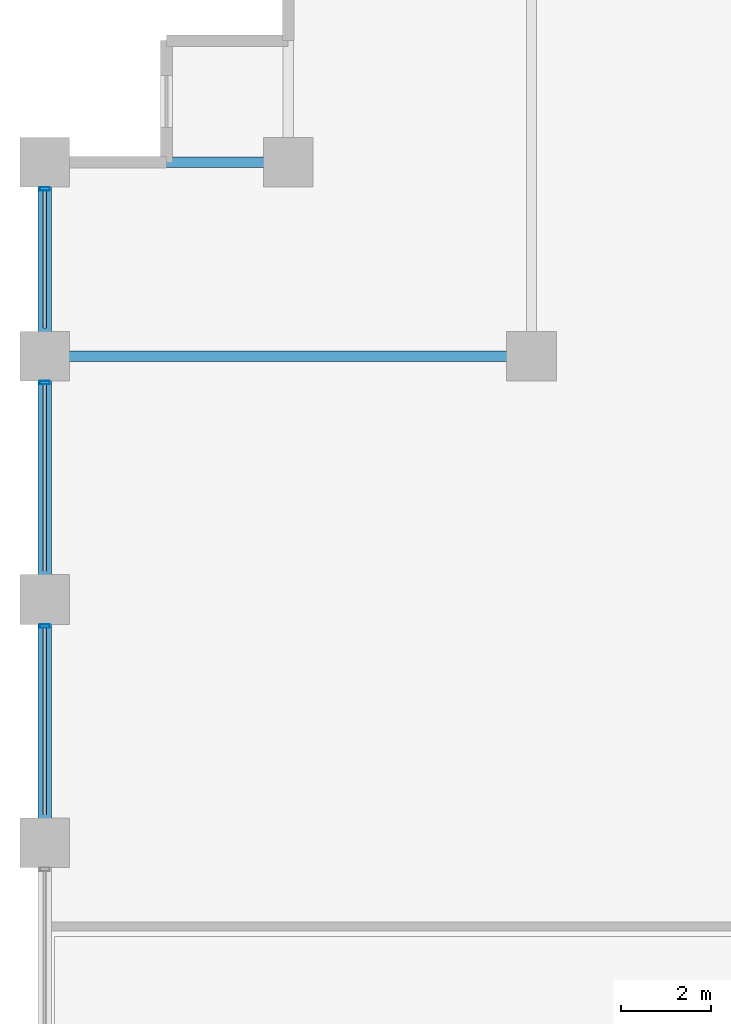
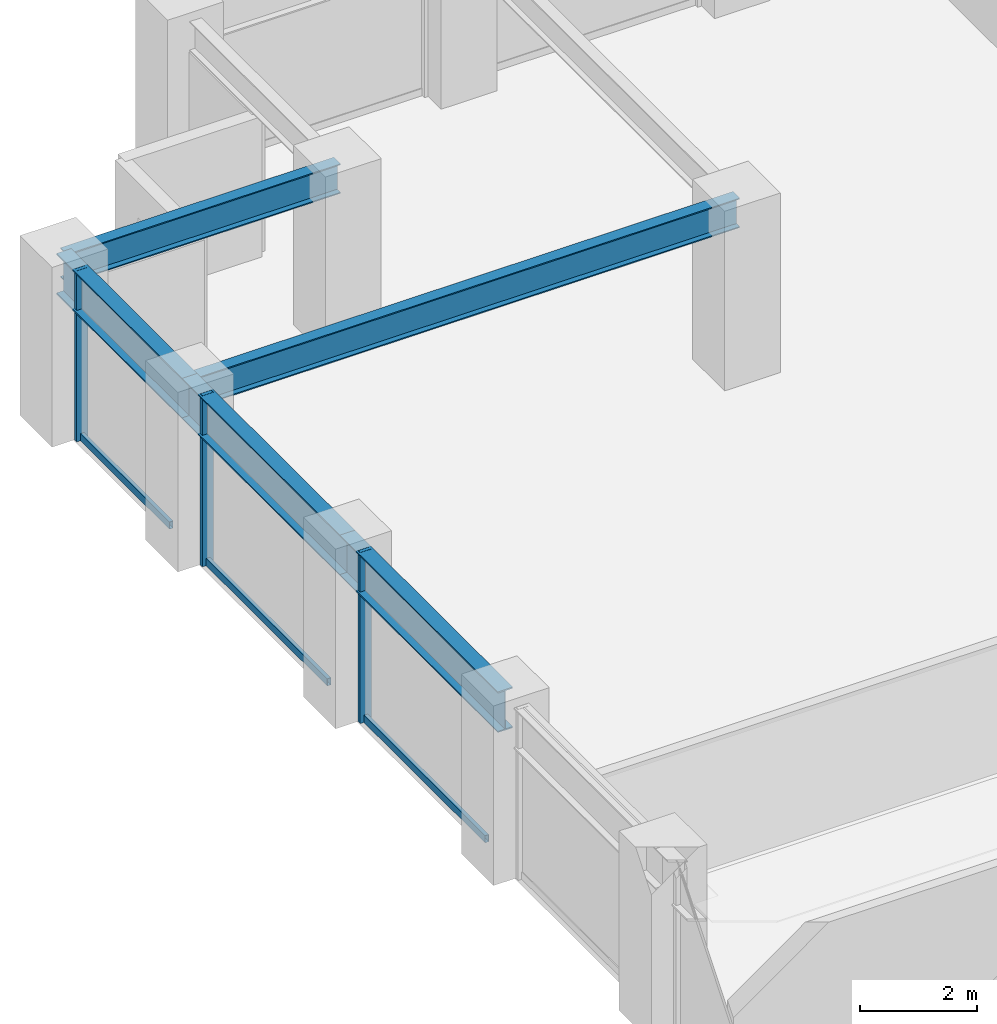
# One storey, part 10 of 25: 6 members, 5 beams, 1 element without a shape of its own.
"""IFC4 building model written with IfcOpenShell, lengths in metres."""

from ifc_helpers import new_model, si_unit, direction, frame, origin, origin_2d, place, context, subcontext, project, spatial, hollow_rectangle, i_section, extrude, material, layer, layer_set, material_profile, profile_set, type_object, element, aggregate, save


model = new_model("IFC4")

# Units and contexts
model_context = context("Model", 3, precision=1e-05, world=origin(), true_north=direction((0.0, 1.0)))
body_context = subcontext(model_context, "Body", "Model", "MODEL_VIEW")
ifc_project = project(units=[si_unit("LENGTHUNIT", "METRE"), si_unit("AREAUNIT", "SQUARE_METRE"), si_unit("VOLUMEUNIT", "CUBIC_METRE"), si_unit("PLANEANGLEUNIT", "RADIAN"), si_unit("MASSUNIT", "GRAM", prefix="KILO")], contexts=[model_context])

# Site, building, storey
site_placement = place(None, origin())
site = spatial("IfcSite", under=ifc_project, at=site_placement, CompositionType="ELEMENT")
building_placement = place(site_placement, origin())
building = spatial("IfcBuilding", under=site, at=building_placement, Name="Surkhivell Harbour Commons", CompositionType="ELEMENT")
storey_placement = place(building_placement, frame((0.0, 0.0, 124.5)))
storey = spatial("IfcBuildingStorey", under=building, at=storey_placement, Name="L32", CompositionType="ELEMENT", Elevation=124.5)

# Beams
ifc_material_1 = material(Name="Steel S355", Category="steel")
ifc_material_profile_1 = material_profile(ifc_material_1, i_section(OverallWidth=0.22998046875, OverallDepth=0.616943359375, WebThickness=0.01318359375, FlangeThickness=0.022216796875, at=origin_2d()), Name="UB610x229x140")
ifc_profile_set_1 = profile_set([ifc_material_profile_1], Name="Steel S355")
beam_type_1 = type_object("IfcBeamType", Name="BM-GRD-610B", PredefinedType="BEAM", material=ifc_profile_set_1)
beam_1_placement = place(storey_placement, frame((-32.39990234375, 16.199951171875, 3.261474609375), z_axis=(1.0, 0.0, 0.0), x_axis=(0.0, 1.0, 0.0)))
element("IfcBeam", 1, at=beam_1_placement, inside=storey, type_object=beam_type_1, Name="L32 Floor Girder (-32.4,16.2)", PredefinedType="BEAM", context=body_context, shape_type="SweptSolid", body=[
    extrude(i_section(OverallWidth=0.22998046875, OverallDepth=0.616943359375, WebThickness=0.01318359375, FlangeThickness=0.022216796875, at=origin_2d()), origin(), (0.0, 0.0, 1.0), 10.7998046875),
])
beam_2_placement = place(storey_placement, frame((-32.39990234375, 20.5, 3.261474609375), z_axis=(1.0, 0.0, 0.0), x_axis=(0.0, 1.0, 0.0)))
element("IfcBeam", 2, at=beam_2_placement, inside=storey, type_object=beam_type_1, Name="L32 Floor Girder (-32.4,20.5)", PredefinedType="BEAM", context=body_context, shape_type="SweptSolid", body=[
    extrude(i_section(OverallWidth=0.22998046875, OverallDepth=0.616943359375, WebThickness=0.01318359375, FlangeThickness=0.022216796875, at=origin_2d()), origin(), (0.0, 0.0, 1.0), 5.39990234375),
])
ifc_material_2 = material(Name="Steel S460", Category="steel")
ifc_material_profile_2 = material_profile(ifc_material_2, i_section(OverallWidth=0.2939453125, OverallDepth=0.85107421875, WebThickness=0.01611328125, FlangeThickness=0.02685546875, at=origin_2d()), Name="UB838x292x226")
ifc_profile_set_2 = profile_set([ifc_material_profile_2], Name="Steel S460")
beam_type_2 = type_object("IfcBeamType", Name="BM-SPN-838", PredefinedType="SPANDREL", material=ifc_profile_set_2)
beam_3_placement = place(storey_placement, frame((-32.39990234375, 5.39990234375, 3.14453125), z_axis=(0.0, 1.0, 0.0), x_axis=(-1.0, 0.0, 0.0)))
element("IfcBeam", 3, at=beam_3_placement, inside=storey, type_object=beam_type_2, Name="L32 Tube Spandrel (-32.4,5.4)", PredefinedType="SPANDREL", context=body_context, shape_type="SweptSolid", body=[
    extrude(i_section(OverallWidth=0.2939453125, OverallDepth=0.85107421875, WebThickness=0.01611328125, FlangeThickness=0.02685546875, at=origin_2d()), origin(), (0.0, 0.0, 1.0), 5.400146484375),
])
beam_4_placement = place(storey_placement, frame((-32.39990234375, 10.800048828125, 3.14453125), z_axis=(0.0, 1.0, 0.0), x_axis=(-1.0, 0.0, 0.0)))
element("IfcBeam", 4, at=beam_4_placement, inside=storey, type_object=beam_type_2, Name="L32 Tube Spandrel (-32.4,10.8)", PredefinedType="SPANDREL", context=body_context, shape_type="SweptSolid", body=[
    extrude(i_section(OverallWidth=0.2939453125, OverallDepth=0.85107421875, WebThickness=0.01611328125, FlangeThickness=0.02685546875, at=origin_2d()), origin(), (0.0, 0.0, 1.0), 5.39990234375),
])
beam_5_placement = place(storey_placement, frame((-32.39990234375, 16.199951171875, 3.14453125), z_axis=(0.0, 1.0, 0.0), x_axis=(-1.0, 0.0, 0.0)))
element("IfcBeam", 5, at=beam_5_placement, inside=storey, type_object=beam_type_2, Name="L32 Tube Spandrel (-32.4,16.2)", PredefinedType="SPANDREL", context=body_context, shape_type="SweptSolid", body=[
    extrude(i_section(OverallWidth=0.2939453125, OverallDepth=0.85107421875, WebThickness=0.01611328125, FlangeThickness=0.02685546875, at=origin_2d()), origin(), (0.0, 0.0, 1.0), 4.300048828125),
])

# Curtain wall, members
ifc_material_3 = material(Name="Anodised pale-metal aluminium and insulated glazing", Category="aluminium")
ifc_layer = layer(ifc_material_3, 0.205078125)
ifc_layer_set = layer_set([ifc_layer], Name="Anodised pale-metal aluminium and insulated glazing")
curtain_wall_type = type_object("IfcCurtainWallType", Name="CW-SYS-Z2", PredefinedType="NOTDEFINED", material=ifc_layer_set)
curtain_wall_placement = place(storey_placement, origin())
curtain_wall = element("IfcCurtainWall", 6, at=curtain_wall_placement, inside=storey, type_object=curtain_wall_type, Name="L32 Curtain Wall CW-L32-E12S1", PredefinedType="NOTDEFINED")
ifc_material_4 = material(Name="Anodised pale-metal aluminium alloy 6063-T6", Category="aluminium")
ifc_material_profile_3 = material_profile(ifc_material_4, hollow_rectangle(XDim=0.074951171875, YDim=0.219970703125, WallThickness=0.00390625, at=origin_2d()), Name="ALU-MULL-75x220")
ifc_profile_set_3 = profile_set([ifc_material_profile_3], Name="Anodised pale-metal aluminium alloy 6063-T6")
member_type_1 = type_object("IfcMemberType", Name="CWM-220", PredefinedType="MULLION", material=ifc_profile_set_3)
member_1_placement = place(storey_placement, frame((-32.39990234375, 19.910400390625, 0.0), z_axis=(0.0, 0.0, 1.0), x_axis=(0.0, -1.0, 0.0)))
member_1 = element("IfcMember", 7, at=member_1_placement, type_object=member_type_1, Name="CW-Z2 mullion 1", PredefinedType="MULLION", context=body_context, shape_type="SweptSolid", body=[
    extrude(hollow_rectangle(XDim=0.074951171875, YDim=0.219970703125, WallThickness=0.00390625, at=origin_2d()), origin(), (0.0, 0.0, 1.0), 3.570068359375),
])
member_2_placement = place(storey_placement, frame((-32.39990234375, 15.610595703125, 0.0), z_axis=(0.0, 0.0, 1.0), x_axis=(0.0, -1.0, 0.0)))
member_2 = element("IfcMember", 8, at=member_2_placement, type_object=member_type_1, Name="CW-Z2 mullion 2", PredefinedType="MULLION", context=body_context, shape_type="SweptSolid", body=[
    extrude(hollow_rectangle(XDim=0.074951171875, YDim=0.219970703125, WallThickness=0.00390625, at=origin_2d()), origin(), (0.0, 0.0, 1.0), 3.570068359375),
])
member_3_placement = place(storey_placement, frame((-32.39990234375, 10.21044921875, 0.0), z_axis=(0.0, 0.0, 1.0), x_axis=(0.0, -1.0, 0.0)))
member_3 = element("IfcMember", 9, at=member_3_placement, type_object=member_type_1, Name="CW-Z2 mullion 3", PredefinedType="MULLION", context=body_context, shape_type="SweptSolid", body=[
    extrude(hollow_rectangle(XDim=0.074951171875, YDim=0.219970703125, WallThickness=0.00390625, at=origin_2d()), origin(), (0.0, 0.0, 1.0), 3.570068359375),
])
ifc_material_profile_4 = material_profile(ifc_material_4, hollow_rectangle(XDim=0.074951171875, YDim=0.14990234375, WallThickness=0.00341796875, at=origin_2d()), Name="ALU-TRAN-75x150")
ifc_profile_set_4 = profile_set([ifc_material_profile_4], Name="Anodised pale-metal aluminium alloy 6063-T6")
member_type_2 = type_object("IfcMemberType", Name="CWT-150", PredefinedType="USERDEFINED", material=ifc_profile_set_4)
member_4_placement = place(storey_placement, frame((-32.39990234375, 19.873046875, 0.074951171875), z_axis=(0.0, -1.0, 0.0), x_axis=(1.0, 0.0, 0.0)))
member_4 = element("IfcMember", 10, at=member_4_placement, type_object=member_type_2, Name="CW-Z2 transom 1.1", ObjectType="TRANSOM", PredefinedType="USERDEFINED", context=body_context, shape_type="SweptSolid", body=[
    extrude(hollow_rectangle(XDim=0.074951171875, YDim=0.14990234375, WallThickness=0.00341796875, at=origin_2d()), origin(), (0.0, 0.0, 1.0), 3.046142578125),
])
member_5_placement = place(storey_placement, frame((-32.39990234375, 15.572998046875, 0.074951171875), z_axis=(0.0, -1.0, 0.0), x_axis=(1.0, 0.0, 0.0)))
member_5 = element("IfcMember", 11, at=member_5_placement, type_object=member_type_2, Name="CW-Z2 transom 2.1", ObjectType="TRANSOM", PredefinedType="USERDEFINED", context=body_context, shape_type="SweptSolid", body=[
    extrude(hollow_rectangle(XDim=0.074951171875, YDim=0.14990234375, WallThickness=0.00341796875, at=origin_2d()), origin(), (0.0, 0.0, 1.0), 4.14599609375),
])
member_6_placement = place(storey_placement, frame((-32.39990234375, 10.173095703125, 0.074951171875), z_axis=(0.0, -1.0, 0.0), x_axis=(1.0, 0.0, 0.0)))
member_6 = element("IfcMember", 12, at=member_6_placement, type_object=member_type_2, Name="CW-Z2 transom 3.1", ObjectType="TRANSOM", PredefinedType="USERDEFINED", context=body_context, shape_type="SweptSolid", body=[
    extrude(hollow_rectangle(XDim=0.074951171875, YDim=0.14990234375, WallThickness=0.00341796875, at=origin_2d()), origin(), (0.0, 0.0, 1.0), 4.14599609375),
])
aggregate(curtain_wall, [member_1, member_4, member_2, member_5, member_3, member_6])

save(model, "model.ifc")
